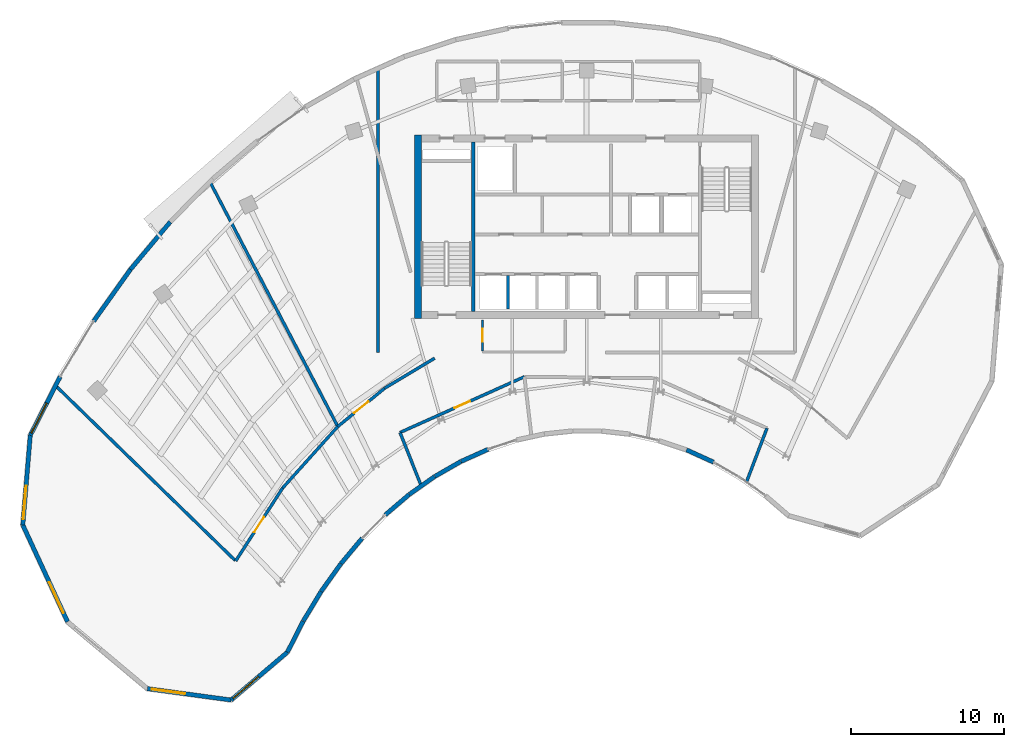
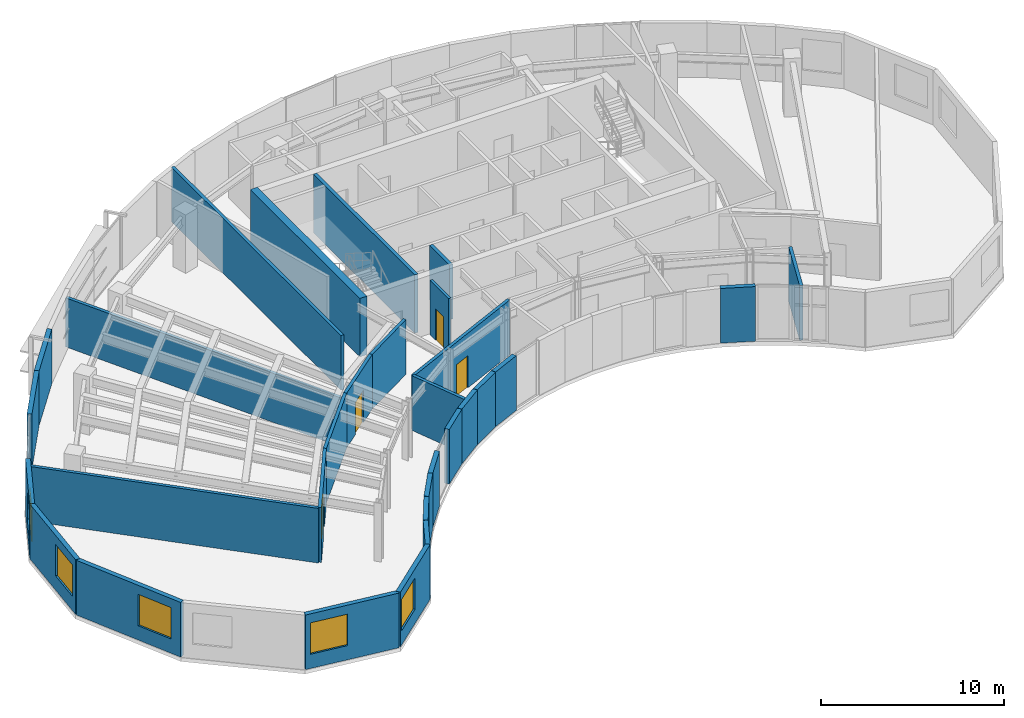
# One storey, part 7 of 12: 30 walls, 5 windows, 4 doors, 9 openings.
"""IFC4 building model written with IfcOpenShell, lengths in metres."""

from ifc_helpers import new_model, si_unit, direction, frame, frame_2d, origin, place, context, subcontext, project, spatial, rectangle, extrude, source, transform, mapped, material, layer, layer_set, type_object, type_shapes, element, fill, save


model = new_model("IFC4")

# Units and contexts
model_context = context("Model", 3, precision=1e-05, world=origin(), true_north=direction((0.0, 1.0)))
body_context = subcontext(model_context, "Body", "Model", "MODEL_VIEW")
ifc_project = project(units=[si_unit("LENGTHUNIT", "METRE"), si_unit("AREAUNIT", "SQUARE_METRE"), si_unit("VOLUMEUNIT", "CUBIC_METRE"), si_unit("PLANEANGLEUNIT", "RADIAN"), si_unit("MASSUNIT", "GRAM", prefix="KILO")], contexts=[model_context])

# Site, building, storey
site_placement = place(None, origin())
site = spatial("IfcSite", under=ifc_project, at=site_placement, CompositionType="ELEMENT")
building_placement = place(site_placement, origin())
building = spatial("IfcBuilding", under=site, at=building_placement, Name="Breltana Convention Tower", CompositionType="ELEMENT")
storey_placement = place(building_placement, frame((0.0, 0.0, 246.89990234375)))
storey = spatial("IfcBuildingStorey", under=building, at=storey_placement, Name="L60", CompositionType="ELEMENT", Elevation=246.89990234375)

# Walls
ifc_material_1 = material(Name="Concrete C60/75", Category="concrete")
ifc_layer_1 = layer(ifc_material_1, 0.449951171875, Name="Concrete C60/75")
ifc_layer_set_1 = layer_set([ifc_layer_1], Name="Concrete C60/75")
wall_type_1 = type_object("IfcWallType", Name="SW-CORE-450", PredefinedType="SHEAR", material=ifc_layer_set_1)
shared_shape_1 = source(origin(), body_context, "Body", "SweptSolid", [
    extrude(rectangle(XDim=12.0, YDim=0.449951171875, at=frame_2d((6.0, 0.0))), origin(), (0.0, 0.0, 1.0), 3.900146484375),
])
wall_1_placement = place(storey_placement, frame((36.97509765625, 60.199951171875, 0.0), z_axis=(0.0, 0.0, 1.0), x_axis=(0.0, 1.0, 0.0)))
element("IfcWall", 1, at=wall_1_placement, inside=storey, type_object=wall_type_1, Name="L60 West Core Shear Wall", PredefinedType="SHEAR", context=body_context, shape_type="MappedRepresentation", body=[
    mapped(shared_shape_1, transform((0.0, 0.0, 0.0), scale=1.0)),
])
ifc_material_2 = material(Name="Concrete C50/60", Category="concrete")
ifc_layer_2 = layer(ifc_material_2, 0.39990234375, Name="Concrete C50/60")
ifc_layer_set_2 = layer_set([ifc_layer_2], Name="Concrete C50/60")
wall_type_2 = type_object("IfcWallType", Name="SW-CORE-400", PredefinedType="SHEAR", material=ifc_layer_set_2)
shared_shape_2 = source(origin(), body_context, "Body", "SweptSolid", [
    extrude(rectangle(XDim=11.10009765625, YDim=0.219970703125, at=frame_2d((5.550048828125, 0.0))), origin(), (0.0, 0.0, 1.0), 3.900146484375),
])
wall_2_placement = place(storey_placement, frame((40.580078125, 60.64990234375, 0.0), z_axis=(0.0, 0.0, 1.0), x_axis=(0.0, 1.0, 0.0)))
element("IfcWall", 2, at=wall_2_placement, inside=storey, type_object=wall_type_2, Name="L60 Core West Stair Spine Wall", PredefinedType="SHEAR", context=body_context, shape_type="MappedRepresentation", body=[
    mapped(shared_shape_2, transform((0.0, 0.0, 0.0), scale=1.0)),
])
ifc_material_3 = material(Name="Limestone Buff Insulated Wall", Category="masonry")
ifc_layer_3 = layer(ifc_material_3, 0.280029296875, Name="Limestone Buff Insulated Wall")
ifc_layer_set_3 = layer_set([ifc_layer_3], Name="Limestone Buff Insulated Wall")
wall_type_3 = type_object("IfcWallType", Name="WL-EXT-NOSE-280", PredefinedType="SOLIDWALL", material=ifc_layer_set_3)
shared_shape_3 = source(origin(), body_context, "Body", "SweptSolid", [
    extrude(rectangle(XDim=1.932861328125, YDim=0.280029296875, at=frame_2d((0.96630859375, 0.0))), origin(), (0.0, 0.0, 1.0), 3.650146484375),
])
wall_3_placement = place(storey_placement, frame((56.2998046875, 50.802001953125, 0.0), z_axis=(0.0, 0.0, 1.0), x_axis=(-0.910478916145, 0.413555489936, 0.0)))
element("IfcWall", 3, at=wall_3_placement, inside=storey, type_object=wall_type_3, Name="L60 curved limestone nose wall E7", PredefinedType="SOLIDWALL", context=body_context, shape_type="MappedRepresentation", body=[
    mapped(shared_shape_3, transform((0.0, 0.0, 0.0), scale=1.0)),
])
shared_shape_4 = source(origin(), body_context, "Body", "SweptSolid", [
    extrude(rectangle(XDim=1.968994140625, YDim=0.280029296875, at=frame_2d((0.984375, 0.0))), origin(), (0.0, 0.0, 1.0), 3.650146484375),
])
wall_4_placement = place(storey_placement, frame((39.77880859375, 50.84228515625, 0.0), z_axis=(0.0, 0.0, 1.0), x_axis=(-0.86797594681, -0.496606238139, 0.0)))
element("IfcWall", 4, at=wall_4_placement, inside=storey, type_object=wall_type_3, Name="L60 curved limestone nose wall E14", PredefinedType="SOLIDWALL", context=body_context, shape_type="MappedRepresentation", body=[
    mapped(shared_shape_4, transform((0.0, 0.0, 0.0), scale=1.0)),
])
shared_shape_5 = source(origin(), body_context, "Body", "SweptSolid", [
    extrude(rectangle(XDim=2.011962890625, YDim=0.280029296875, at=frame_2d((1.005859375, 0.0))), origin(), (0.0, 0.0, 1.0), 3.650146484375),
])
wall_5_placement = place(storey_placement, frame((38.055419921875, 49.855224609375, 0.0), z_axis=(0.0, 0.0, 1.0), x_axis=(-0.817008215805, -0.576626027255, 0.0)))
element("IfcWall", 5, at=wall_5_placement, inside=storey, type_object=wall_type_3, Name="L60 curved limestone nose wall E15", PredefinedType="SOLIDWALL", context=body_context, shape_type="MappedRepresentation", body=[
    mapped(shared_shape_5, transform((0.0, 0.0, 0.0), scale=1.0)),
])
shared_shape_6 = source(origin(), body_context, "Body", "SweptSolid", [
    extrude(rectangle(XDim=2.0595703125, YDim=0.280029296875, at=frame_2d((1.02978515625, 0.0))), origin(), (0.0, 0.0, 1.0), 3.650146484375),
])
wall_6_placement = place(storey_placement, frame((36.398681640625, 48.68505859375, 0.0), z_axis=(0.0, 0.0, 1.0), x_axis=(-0.761494573969, -0.648171284319, 0.0)))
element("IfcWall", 6, at=wall_6_placement, inside=storey, type_object=wall_type_3, Name="L60 curved limestone nose wall E16", PredefinedType="SOLIDWALL", context=body_context, shape_type="MappedRepresentation", body=[
    mapped(shared_shape_6, transform((0.0, 0.0, 0.0), scale=1.0)),
])
shared_shape_7 = source(origin(), body_context, "Body", "SweptSolid", [
    extrude(rectangle(XDim=2.211669921875, YDim=0.280029296875, at=frame_2d((1.10595703125, 0.0))), origin(), (0.0, 0.0, 1.0), 3.650146484375),
])
wall_7_placement = place(storey_placement, frame((31.931396484375, 44.159423828125, 0.0), z_axis=(0.0, 0.0, 1.0), x_axis=(-0.579639452819, -0.814873060504, 0.0)))
element("IfcWall", 7, at=wall_7_placement, inside=storey, type_object=wall_type_3, Name="L60 curved limestone nose wall E18", PredefinedType="SOLIDWALL", context=body_context, shape_type="MappedRepresentation", body=[
    mapped(shared_shape_7, transform((0.0, 0.0, 0.0), scale=1.0)),
])
shared_shape_8 = source(origin(), body_context, "Body", "SweptSolid", [
    extrude(rectangle(XDim=2.260986328125, YDim=0.280029296875, at=frame_2d((1.13037109375, 0.0))), origin(), (0.0, 0.0, 1.0), 3.650146484375),
])
wall_8_placement = place(storey_placement, frame((30.64208984375, 42.345703125, 0.0), z_axis=(0.0, 0.0, 1.0), x_axis=(-0.516891494538, -0.856050923062, 0.0)))
element("IfcWall", 8, at=wall_8_placement, inside=storey, type_object=wall_type_3, Name="L60 curved limestone nose wall E19", PredefinedType="SOLIDWALL", context=body_context, shape_type="MappedRepresentation", body=[
    mapped(shared_shape_8, transform((0.0, 0.0, 0.0), scale=1.0)),
])
shared_shape_9 = source(origin(), body_context, "Body", "SweptSolid", [
    extrude(rectangle(XDim=2.271484375, YDim=0.280029296875, at=frame_2d((1.1357421875, 0.0))), origin(), (0.0, 0.0, 1.0), 3.650146484375),
])
wall_9_placement = place(storey_placement, frame((29.467041015625, 40.39892578125, 0.0), z_axis=(0.0, 0.0, 1.0), x_axis=(-0.453993402883, -0.891005044957, 0.0)))
element("IfcWall", 9, at=wall_9_placement, inside=storey, type_object=wall_type_3, Name="L60 curved limestone nose wall W1", PredefinedType="SOLIDWALL", context=body_context, shape_type="MappedRepresentation", body=[
    mapped(shared_shape_9, transform((0.0, 0.0, 0.0), scale=1.0)),
])

# Wall, opening, window
shared_shape_10 = source(origin(), body_context, "Body", "SweptSolid", [
    extrude(rectangle(XDim=4.830078125, YDim=0.280029296875, at=frame_2d((2.4150390625, 0.0))), origin(), (0.0, 0.0, 1.0), 3.650146484375),
])
wall_10_placement = place(storey_placement, frame((28.435791015625, 38.375, 0.0), z_axis=(0.0, 0.0, 1.0), x_axis=(-0.761890676316, -0.647705640968, 0.0)))
wall_10 = element("IfcWall", 10, at=wall_10_placement, inside=storey, type_object=wall_type_3, Name="L60 curved limestone nose wall W2", PredefinedType="SOLIDWALL", context=body_context, shape_type="MappedRepresentation", body=[
    mapped(shared_shape_10, transform((0.0, 0.0, 0.0), scale=1.0)),
])
opening_1_placement = place(wall_10_placement, frame((2.4697265625, 0.0, 0.949951171875)))
opening_1 = element("IfcOpeningElement", 11, at=opening_1_placement, cuts=wall_10, Name="Opening W-03", PredefinedType="OPENING", context=body_context, shape_type="SweptSolid", body=[
    extrude(rectangle(XDim=2.199951171875, YDim=2.10009765625, at=frame_2d((1.10009765625, 1.050048828125))), frame((0.0, 0.14990234375, 0.0), z_axis=(0.0, -1.0, 0.0), x_axis=(1.0, 0.0, 0.0)), (0.0, 0.0, 1.0), 0.300048828125),
])
ifc_material_4 = material(Name="Glass Low-E Insulated Window", Category="glass")
window_type = type_object("IfcWindowType", Name="WN-NOSE-2200X2100", PartitioningType="TRIPLE_PANEL_VERTICAL", PredefinedType="WINDOW", material=ifc_material_4)
shared_shape_11 = source(origin(), body_context, "Body", "SweptSolid", [
    extrude(rectangle(XDim=2.199951171875, YDim=2.10009765625, at=frame_2d((1.10009765625, 1.050048828125))), frame((0.0, 0.030029296875, 0.0), z_axis=(0.0, -1.0, 0.0), x_axis=(1.0, 0.0, 0.0)), (0.0, 0.0, 1.0), 0.06005859375),
])
type_shapes(window_type, [shared_shape_11])
window_1_placement = place(opening_1_placement, origin())
window_1 = element("IfcWindow", 12, at=window_1_placement, inside=storey, type_object=window_type, Name="L60 nose window W2", OverallHeight=2.10009765625, OverallWidth=2.199951171875, PartitioningType="TRIPLE_PANEL_VERTICAL", PredefinedType="WINDOW", context=body_context, shape_type="MappedRepresentation", body=[
    mapped(shared_shape_11, transform((0.0, 0.0, 0.0), scale=1.0)),
])
fill(opening_1, window_1)

shared_shape_12 = source(origin(), body_context, "Body", "SweptSolid", [
    extrude(rectangle(XDim=5.51953125, YDim=0.280029296875, at=frame_2d((2.759765625, 0.0))), origin(), (0.0, 0.0, 1.0), 3.650146484375),
])
wall_11_placement = place(storey_placement, frame((24.755859375, 35.24658203125, 0.0), z_axis=(0.0, 0.0, 1.0), x_axis=(-0.99093029136, 0.134376923856, 0.0)))
wall_11 = element("IfcWall", 13, at=wall_11_placement, inside=storey, type_object=wall_type_3, Name="L60 curved limestone nose wall W3", PredefinedType="SOLIDWALL", context=body_context, shape_type="MappedRepresentation", body=[
    mapped(shared_shape_12, transform((0.0, 0.0, 0.0), scale=1.0)),
])
opening_2_placement = place(wall_11_placement, frame((3.039794921875, 0.0, 0.949951171875)))
opening_2 = element("IfcOpeningElement", 14, at=opening_2_placement, cuts=wall_11, Name="Opening W-03", PredefinedType="OPENING", context=body_context, shape_type="SweptSolid", body=[
    extrude(rectangle(XDim=2.199951171875, YDim=2.10009765625, at=frame_2d((1.10009765625, 1.050048828125))), frame((0.0, 0.14990234375, 0.0), z_axis=(0.0, -1.0, 0.0), x_axis=(1.0, 0.0, 0.0)), (0.0, 0.0, 1.0), 0.300048828125),
])
window_2_placement = place(opening_2_placement, origin())
window_2 = element("IfcWindow", 15, at=window_2_placement, inside=storey, type_object=window_type, Name="L60 nose window W3", OverallHeight=2.10009765625, OverallWidth=2.199951171875, PartitioningType="TRIPLE_PANEL_VERTICAL", PredefinedType="WINDOW", context=body_context, shape_type="MappedRepresentation", body=[
    mapped(shared_shape_11, transform((0.0, 0.0, 0.0), scale=1.0)),
])
fill(opening_2, window_2)

shared_shape_13 = source(origin(), body_context, "Body", "SweptSolid", [
    extrude(rectangle(XDim=6.976806640625, YDim=0.280029296875, at=frame_2d((3.48828125, 0.0))), origin(), (0.0, 0.0, 1.0), 3.650146484375),
])
wall_12_placement = place(storey_placement, frame((14.0634765625, 40.361572265625, 0.0), z_axis=(0.0, 0.0, 1.0), x_axis=(-0.41966832263, 0.907677530283, 0.0)))
wall_12 = element("IfcWall", 16, at=wall_12_placement, inside=storey, type_object=wall_type_3, Name="L60 curved limestone nose wall W5", PredefinedType="SOLIDWALL", context=body_context, shape_type="MappedRepresentation", body=[
    mapped(shared_shape_13, transform((0.0, 0.0, 0.0), scale=1.0)),
])
opening_3_placement = place(wall_12_placement, frame((0.644287109375, 0.0, 0.949951171875)))
opening_3 = element("IfcOpeningElement", 17, at=opening_3_placement, cuts=wall_12, Name="Opening W-03", PredefinedType="OPENING", context=body_context, shape_type="SweptSolid", body=[
    extrude(rectangle(XDim=2.199951171875, YDim=2.10009765625, at=frame_2d((1.10009765625, 1.050048828125))), frame((0.0, 0.14990234375, 0.0), z_axis=(0.0, -1.0, 0.0), x_axis=(1.0, 0.0, 0.0)), (0.0, 0.0, 1.0), 0.300048828125),
])
window_3_placement = place(opening_3_placement, origin())
window_3 = element("IfcWindow", 18, at=window_3_placement, inside=storey, type_object=window_type, Name="L60 nose window W5", OverallHeight=2.10009765625, OverallWidth=2.199951171875, PartitioningType="TRIPLE_PANEL_VERTICAL", PredefinedType="WINDOW", context=body_context, shape_type="MappedRepresentation", body=[
    mapped(shared_shape_11, transform((0.0, 0.0, 0.0), scale=1.0)),
])
fill(opening_3, window_3)

shared_shape_14 = source(origin(), body_context, "Body", "SweptSolid", [
    extrude(rectangle(XDim=5.880859375, YDim=0.280029296875, at=frame_2d((2.9404296875, 0.0))), origin(), (0.0, 0.0, 1.0), 3.650146484375),
])
wall_13_placement = place(storey_placement, frame((11.135498046875, 46.6943359375, 0.0), z_axis=(0.0, 0.0, 1.0), x_axis=(0.083320333731, 0.996522815588, 0.0)))
wall_13 = element("IfcWall", 19, at=wall_13_placement, inside=storey, type_object=wall_type_3, Name="L60 curved limestone nose wall W6", PredefinedType="SOLIDWALL", context=body_context, shape_type="MappedRepresentation", body=[
    mapped(shared_shape_14, transform((0.0, 0.0, 0.0), scale=1.0)),
])
opening_4_placement = place(wall_13_placement, frame((0.3701171875, 0.0, 0.949951171875)))
opening_4 = element("IfcOpeningElement", 20, at=opening_4_placement, cuts=wall_13, Name="Opening W-03", PredefinedType="OPENING", context=body_context, shape_type="SweptSolid", body=[
    extrude(rectangle(XDim=2.199951171875, YDim=2.10009765625, at=frame_2d((1.10009765625, 1.050048828125))), frame((0.0, 0.14990234375, 0.0), z_axis=(0.0, -1.0, 0.0), x_axis=(1.0, 0.0, 0.0)), (0.0, 0.0, 1.0), 0.300048828125),
])
window_4_placement = place(opening_4_placement, origin())
window_4 = element("IfcWindow", 21, at=window_4_placement, inside=storey, type_object=window_type, Name="L60 nose window W6", OverallHeight=2.10009765625, OverallWidth=2.199951171875, PartitioningType="TRIPLE_PANEL_VERTICAL", PredefinedType="WINDOW", context=body_context, shape_type="MappedRepresentation", body=[
    mapped(shared_shape_11, transform((0.0, 0.0, 0.0), scale=1.0)),
])
fill(opening_4, window_4)

shared_shape_15 = source(origin(), body_context, "Body", "SweptSolid", [
    extrude(rectangle(XDim=4.30126953125, YDim=0.280029296875, at=frame_2d((2.150634765625, 0.0))), origin(), (0.0, 0.0, 1.0), 3.650146484375),
])
wall_14_placement = place(storey_placement, frame((11.62548828125, 52.5546875, 0.0), z_axis=(0.0, 0.0, 1.0), x_axis=(0.454011655096, 0.89099574468, 0.0)))
wall_14 = element("IfcWall", 22, at=wall_14_placement, inside=storey, type_object=wall_type_3, Name="L60 curved limestone nose wall W7", PredefinedType="SOLIDWALL", context=body_context, shape_type="MappedRepresentation", body=[
    mapped(shared_shape_15, transform((0.0, 0.0, 0.0), scale=1.0)),
])
opening_5_placement = place(wall_14_placement, frame((0.159912109375, 0.0, 0.949951171875)))
opening_5 = element("IfcOpeningElement", 23, at=opening_5_placement, cuts=wall_14, Name="Opening W-03", PredefinedType="OPENING", context=body_context, shape_type="SweptSolid", body=[
    extrude(rectangle(XDim=2.199951171875, YDim=2.10009765625, at=frame_2d((1.10009765625, 1.050048828125))), frame((0.0, 0.14990234375, 0.0), z_axis=(0.0, -1.0, 0.0), x_axis=(1.0, 0.0, 0.0)), (0.0, 0.0, 1.0), 0.300048828125),
])
window_5_placement = place(opening_5_placement, origin())
window_5 = element("IfcWindow", 24, at=window_5_placement, inside=storey, type_object=window_type, Name="L60 nose window W7", OverallHeight=2.10009765625, OverallWidth=2.199951171875, PartitioningType="TRIPLE_PANEL_VERTICAL", PredefinedType="WINDOW", context=body_context, shape_type="MappedRepresentation", body=[
    mapped(shared_shape_11, transform((0.0, 0.0, 0.0), scale=1.0)),
])
fill(opening_5, window_5)

# Walls
shared_shape_16 = source(origin(), body_context, "Body", "SweptSolid", [
    extrude(rectangle(XDim=4.14892578125, YDim=0.280029296875, at=frame_2d((2.074462890625, 0.0))), origin(), (0.0, 0.0, 1.0), 3.650146484375),
])
wall_15_placement = place(storey_placement, frame((15.77099609375, 60.018798828125, 0.0), z_axis=(0.0, 0.0, 1.0), x_axis=(0.579622789827, 0.814884913048, 0.0)))
element("IfcWall", 25, at=wall_15_placement, inside=storey, type_object=wall_type_3, Name="L60 curved limestone nose wall E20", PredefinedType="SOLIDWALL", context=body_context, shape_type="MappedRepresentation", body=[
    mapped(shared_shape_16, transform((0.0, 0.0, 0.0), scale=1.0)),
])
shared_shape_17 = source(origin(), body_context, "Body", "SweptSolid", [
    extrude(rectangle(XDim=1.930908203125, YDim=0.280029296875, at=frame_2d((0.96533203125, 0.0))), origin(), (0.0, 0.0, 1.0), 3.650146484375),
])
wall_16_placement = place(storey_placement, frame((41.556884765625, 51.639404296875, 0.0), z_axis=(0.0, 0.0, 1.0), x_axis=(-0.912681759743, -0.408671023481, 0.0)))
element("IfcWall", 26, at=wall_16_placement, inside=storey, type_object=wall_type_3, Name="L60 curved limestone nose wall E13", PredefinedType="SOLIDWALL", context=body_context, shape_type="MappedRepresentation", body=[
    mapped(shared_shape_17, transform((0.0, 0.0, 0.0), scale=1.0)),
])
shared_shape_18 = source(origin(), body_context, "Body", "SweptSolid", [
    extrude(rectangle(XDim=2.16064453125, YDim=0.280029296875, at=frame_2d((1.080322265625, 0.0))), origin(), (0.0, 0.0, 1.0), 3.650146484375),
])
wall_17_placement = place(storey_placement, frame((33.32666015625, 45.82763671875, 0.0), z_axis=(0.0, 0.0, 1.0), x_axis=(-0.641794516235, -0.766876651705, 0.0)))
element("IfcWall", 27, at=wall_17_placement, inside=storey, type_object=wall_type_3, Name="L60 curved limestone nose wall E17", PredefinedType="SOLIDWALL", context=body_context, shape_type="MappedRepresentation", body=[
    mapped(shared_shape_18, transform((0.0, 0.0, 0.0), scale=1.0)),
])
shared_shape_19 = source(origin(), body_context, "Body", "SweptSolid", [
    extrude(rectangle(XDim=4.05224609375, YDim=0.280029296875, at=frame_2d((2.026123046875, 0.0))), origin(), (0.0, 0.0, 1.0), 3.650146484375),
])
wall_18_placement = place(storey_placement, frame((18.17578125, 63.399658203125, 0.0), z_axis=(0.0, 0.0, 1.0), x_axis=(0.641765301437, 0.76690110045, 0.0)))
element("IfcWall", 28, at=wall_18_placement, inside=storey, type_object=wall_type_3, Name="L60 curved limestone nose wall E21", PredefinedType="SOLIDWALL", context=body_context, shape_type="MappedRepresentation", body=[
    mapped(shared_shape_19, transform((0.0, 0.0, 0.0), scale=1.0)),
])
ifc_material_5 = material(Name="Autoclaved Aerated Concrete Block", Category="concrete")
ifc_layer_4 = layer(ifc_material_5, 0.199951171875, Name="Autoclaved Aerated Concrete Block")
ifc_layer_set_4 = layer_set([ifc_layer_4], Name="Autoclaved Aerated Concrete Block")
wall_type_4 = type_object("IfcWallType", Name="WL-SHAFT-200", PredefinedType="SOLIDWALL", material=ifc_layer_set_4)
shared_shape_20 = source(origin(), body_context, "Body", "SweptSolid", [
    extrude(rectangle(XDim=2.199951171875, YDim=0.199951171875, at=frame_2d((1.10009765625, 0.0))), origin(), (0.0, 0.0, 1.0), 3.650146484375),
])
wall_19_placement = place(storey_placement, frame((42.8701171875, 60.800048828125, 0.0), z_axis=(0.0, 0.0, 1.0), x_axis=(0.0, 1.0, 0.0)))
element("IfcWall", 29, at=wall_19_placement, inside=storey, type_object=wall_type_4, Name="L60 interior partition W-L60-SH-S-DIV1", PredefinedType="SOLIDWALL", context=body_context, shape_type="MappedRepresentation", body=[
    mapped(shared_shape_20, transform((0.0, 0.0, 0.0), scale=1.0)),
])

# Wall, opening, door
ifc_material_6 = material(Name="Gypsum Acoustic Drywall Partition")
ifc_layer_5 = layer(ifc_material_6, 0.14990234375, Name="Gypsum Acoustic Drywall Partition")
ifc_layer_set_5 = layer_set([ifc_layer_5], Name="Gypsum Acoustic Drywall Partition")
wall_type_5 = type_object("IfcWallType", Name="WL-PART-150", PredefinedType="PARTITIONING", material=ifc_layer_set_5)
shared_shape_21 = source(origin(), body_context, "Body", "SweptSolid", [
    extrude(rectangle(XDim=2.03271484375, YDim=0.14990234375, at=frame_2d((1.016357421875, 0.0))), origin(), (0.0, 0.0, 1.0), 3.650146484375),
])
wall_20_placement = place(storey_placement, frame((41.199951171875, 58.0673828125, 0.0), z_axis=(0.0, 0.0, 1.0), x_axis=(0.0, 1.0, 0.0)))
wall_20 = element("IfcWall", 30, at=wall_20_placement, inside=storey, type_object=wall_type_5, Name="L60 interior partition W-L60-CRSC-W", PredefinedType="PARTITIONING", context=body_context, shape_type="MappedRepresentation", body=[
    mapped(shared_shape_21, transform((0.0, 0.0, 0.0), scale=1.0)),
])
opening_6_placement = place(wall_20_placement, frame((0.59130859375, 0.0, 0.0)))
opening_6 = element("IfcOpeningElement", 31, at=opening_6_placement, cuts=wall_20, Name="Opening D-20", PredefinedType="OPENING", context=body_context, shape_type="SweptSolid", body=[
    extrude(rectangle(XDim=0.85009765625, YDim=2.10009765625, at=frame_2d((0.425048828125, 1.050048828125))), frame((0.0, 0.0849609375, 0.0), z_axis=(0.0, -1.0, 0.0), x_axis=(1.0, 0.0, 0.0)), (0.0, 0.0, 1.0), 0.169921875),
])
ifc_material_7 = material(Name="Steel Closet Fire Door", Category="steel")
door_type_1 = type_object("IfcDoorType", Name="DR-FD60-850", OperationType="NOTDEFINED", PredefinedType="DOOR", material=ifc_material_7)
shared_shape_22 = source(origin(), body_context, "Body", "SweptSolid", [
    extrude(rectangle(XDim=0.85009765625, YDim=2.10009765625, at=frame_2d((0.425048828125, 1.050048828125))), frame((0.0, 0.02490234375, 0.0), z_axis=(0.0, -1.0, 0.0), x_axis=(1.0, 0.0, 0.0)), (0.0, 0.0, 1.0), 0.050048828125),
])
type_shapes(door_type_1, [shared_shape_22])
door_1_placement = place(opening_6_placement, origin())
door_1 = element("IfcDoor", 32, at=door_1_placement, inside=storey, type_object=door_type_1, Name="L60 interior door D-L60-CRSC", OperationType="SINGLE_SWING_LEFT", OverallHeight=2.10009765625, OverallWidth=0.85009765625, PredefinedType="DOOR", context=body_context, shape_type="MappedRepresentation", body=[
    mapped(shared_shape_22, transform((0.0, 0.0, 0.0), scale=1.0)),
])
fill(opening_6, door_1)

ifc_material_8 = material(Name="Gypsum Acoustic Hotel Wall")
ifc_layer_6 = layer(ifc_material_8, 0.195068359375, Name="Gypsum Acoustic Hotel Wall")
ifc_layer_set_6 = layer_set([ifc_layer_6], Name="Gypsum Acoustic Hotel Wall")
wall_type_6 = type_object("IfcWallType", Name="WL-HOTEL-200", PredefinedType="PARTITIONING", material=ifc_layer_set_6)
shared_shape_23 = source(origin(), body_context, "Body", "SweptSolid", [
    extrude(rectangle(XDim=8.912841796875, YDim=0.195068359375, at=frame_2d((4.45654296875, 0.0))), origin(), (0.0, 0.0, 1.0), 3.650146484375),
])
wall_21_placement = place(storey_placement, frame((35.802978515625, 52.73828125, 0.0), z_axis=(0.0, 0.0, 1.0), x_axis=(0.912488521546, 0.409102307555, 0.0)))
wall_21 = element("IfcWall", 33, at=wall_21_placement, inside=storey, type_object=wall_type_6, Name="L60 interior partition W-L60-ES1-COR", PredefinedType="PARTITIONING", context=body_context, shape_type="MappedRepresentation", body=[
    mapped(shared_shape_23, transform((0.0, 0.0, 0.0), scale=1.0)),
])
opening_7_placement = place(wall_21_placement, frame((3.906494140625, 0.0, 0.0)))
opening_7 = element("IfcOpeningElement", 34, at=opening_7_placement, cuts=wall_21, Name="Opening D-12", PredefinedType="OPENING", context=body_context, shape_type="SweptSolid", body=[
    extrude(rectangle(XDim=1.10009765625, YDim=2.14990234375, at=frame_2d((0.550048828125, 1.074951171875))), frame((0.0, 0.107421875, 0.0), z_axis=(0.0, -1.0, 0.0), x_axis=(1.0, 0.0, 0.0)), (0.0, 0.0, 1.0), 0.215087890625),
])
ifc_material_9 = material(Name="Timber Oak Acoustic Door", Category="wood")
door_type_2 = type_object("IfcDoorType", Name="DR-INT-1100", OperationType="NOTDEFINED", PredefinedType="DOOR", material=ifc_material_9)
shared_shape_24 = source(origin(), body_context, "Body", "SweptSolid", [
    extrude(rectangle(XDim=1.10009765625, YDim=2.14990234375, at=frame_2d((0.550048828125, 1.074951171875))), frame((0.0, 0.02490234375, 0.0), z_axis=(0.0, -1.0, 0.0), x_axis=(1.0, 0.0, 0.0)), (0.0, 0.0, 1.0), 0.050048828125),
])
type_shapes(door_type_2, [shared_shape_24])
door_2_placement = place(opening_7_placement, origin())
door_2 = element("IfcDoor", 35, at=door_2_placement, inside=storey, type_object=door_type_2, Name="L60 interior door D-L60-ES1", OperationType="SINGLE_SWING_RIGHT", OverallHeight=2.14990234375, OverallWidth=1.10009765625, PredefinedType="DOOR", context=body_context, shape_type="MappedRepresentation", body=[
    mapped(shared_shape_24, transform((0.0, 0.0, 0.0), scale=1.0)),
])
fill(opening_7, door_2)

# Walls
shared_shape_25 = source(origin(), body_context, "Body", "SweptSolid", [
    extrude(rectangle(XDim=3.7490234375, YDim=0.195068359375, at=frame_2d((1.87451171875, 0.0))), origin(), (0.0, 0.0, 1.0), 3.650146484375),
])
wall_22_placement = place(storey_placement, frame((37.185791015625, 49.253662109375, 0.0), z_axis=(0.0, 0.0, 1.0), x_axis=(-0.368851771682, 0.92948823044, 0.0)))
element("IfcWall", 36, at=wall_22_placement, inside=storey, type_object=wall_type_6, Name="L60 interior partition W-L60-ES1-RA", PredefinedType="PARTITIONING", context=body_context, shape_type="MappedRepresentation", body=[
    mapped(shared_shape_25, transform((0.0, 0.0, 0.0), scale=1.0)),
])
shared_shape_26 = source(origin(), body_context, "Body", "SweptSolid", [
    extrude(rectangle(XDim=3.75732421875, YDim=0.195068359375, at=frame_2d((1.878662109375, 0.0))), origin(), (0.0, 0.0, 1.0), 3.650146484375),
])
wall_23_placement = place(storey_placement, frame((58.459228515625, 49.5068359375, 0.0), z_axis=(0.0, 0.0, 1.0), x_axis=(0.355427833237, 0.93470372598, 0.0)))
element("IfcWall", 37, at=wall_23_placement, inside=storey, type_object=wall_type_6, Name="L60 interior partition W-L60-ES3-RB", PredefinedType="PARTITIONING", context=body_context, shape_type="MappedRepresentation", body=[
    mapped(shared_shape_26, transform((0.0, 0.0, 0.0), scale=1.0)),
])

# Wall, opening, door
shared_shape_27 = source(origin(), body_context, "Body", "SweptSolid", [
    extrude(rectangle(XDim=5.66845703125, YDim=0.195068359375, at=frame_2d((2.834228515625, 0.0))), origin(), (0.0, 0.0, 1.0), 3.650146484375),
])
wall_24_placement = place(storey_placement, frame((25.056396484375, 44.33740234375, 0.0), z_axis=(0.0, 0.0, 1.0), x_axis=(0.540868603668, 0.841107099938, 0.0)))
wall_24 = element("IfcWall", 38, at=wall_24_placement, inside=storey, type_object=wall_type_6, Name="L60 interior partition W-L60-EXWR1-COR1", PredefinedType="PARTITIONING", context=body_context, shape_type="MappedRepresentation", body=[
    mapped(shared_shape_27, transform((0.0, 0.0, 0.0), scale=1.0)),
])
opening_8_placement = place(wall_24_placement, frame((2.234375, 0.0, 0.0)))
opening_8 = element("IfcOpeningElement", 39, at=opening_8_placement, cuts=wall_24, Name="Opening D-10", PredefinedType="OPENING", context=body_context, shape_type="SweptSolid", body=[
    extrude(rectangle(XDim=1.199951171875, YDim=2.14990234375, at=frame_2d((0.60009765625, 1.074951171875))), frame((0.0, 0.107421875, 0.0), z_axis=(0.0, -1.0, 0.0), x_axis=(1.0, 0.0, 0.0)), (0.0, 0.0, 1.0), 0.215087890625),
])
ifc_material_10 = material(Name="Timber Oak Veneer Fire Door", Category="wood")
door_type_3 = type_object("IfcDoorType", Name="DR-INT-1200", OperationType="NOTDEFINED", PredefinedType="DOOR", material=ifc_material_10)
shared_shape_28 = source(origin(), body_context, "Body", "SweptSolid", [
    extrude(rectangle(XDim=1.199951171875, YDim=2.14990234375, at=frame_2d((0.60009765625, 1.074951171875))), frame((0.0, 0.02490234375, 0.0), z_axis=(0.0, -1.0, 0.0), x_axis=(1.0, 0.0, 0.0)), (0.0, 0.0, 1.0), 0.050048828125),
])
type_shapes(door_type_3, [shared_shape_28])
door_3_placement = place(opening_8_placement, origin())
door_3 = element("IfcDoor", 40, at=door_3_placement, inside=storey, type_object=door_type_3, Name="L60 interior door D-L60-EXWR1", OperationType="SINGLE_SWING_LEFT", OverallHeight=2.14990234375, OverallWidth=1.199951171875, PredefinedType="DOOR", context=body_context, shape_type="MappedRepresentation", body=[
    mapped(shared_shape_28, transform((0.0, 0.0, 0.0), scale=1.0)),
])
fill(opening_8, door_3)

# Walls
shared_shape_29 = source(origin(), body_context, "Body", "SweptSolid", [
    extrude(rectangle(XDim=5.406982421875, YDim=0.195068359375, at=frame_2d((2.70361328125, 0.0))), origin(), (0.0, 0.0, 1.0), 3.650146484375),
])
wall_25_placement = place(storey_placement, frame((28.122314453125, 49.105224609375, 0.0), z_axis=(0.0, 0.0, 1.0), x_axis=(0.667851383423, 0.744294652447, 0.0)))
element("IfcWall", 41, at=wall_25_placement, inside=storey, type_object=wall_type_6, Name="L60 interior partition W-L60-EXWR1-COR2", PredefinedType="PARTITIONING", context=body_context, shape_type="MappedRepresentation", body=[
    mapped(shared_shape_29, transform((0.0, 0.0, 0.0), scale=1.0)),
])
shared_shape_30 = source(origin(), body_context, "Body", "SweptSolid", [
    extrude(rectangle(XDim=16.379638671875, YDim=0.195068359375, at=frame_2d((8.18994140625, 0.0))), origin(), (0.0, 0.0, 1.0), 3.650146484375),
])
wall_26_placement = place(storey_placement, frame((25.02392578125, 44.368896484375, 0.0), z_axis=(0.0, 0.0, 1.0), x_axis=(-0.716522943697, 0.697563524817, 0.0)))
element("IfcWall", 42, at=wall_26_placement, inside=storey, type_object=wall_type_6, Name="L60 interior partition W-L60-EXWR1-RA", PredefinedType="PARTITIONING", context=body_context, shape_type="MappedRepresentation", body=[
    mapped(shared_shape_30, transform((0.0, 0.0, 0.0), scale=1.0)),
])
shared_shape_31 = source(origin(), body_context, "Body", "SweptSolid", [
    extrude(rectangle(XDim=17.997314453125, YDim=0.195068359375, at=frame_2d((8.99853515625, 0.0))), origin(), (0.0, 0.0, 1.0), 3.274169921875),
])
wall_27_placement = place(storey_placement, frame((31.71044921875, 53.173583984375, 0.0), z_axis=(0.0, 0.0, 1.0), x_axis=(-0.463122237503, 0.886294416732, 0.0)))
element("IfcWall", 43, at=wall_27_placement, inside=storey, type_object=wall_type_6, Name="L60 interior partition W-L60-EXWR1-RB", PredefinedType="PARTITIONING", context=body_context, shape_type="MappedRepresentation", body=[
    mapped(shared_shape_31, transform((0.0, 0.0, 0.0), scale=1.0)),
])

# Wall, opening, door
shared_shape_32 = source(origin(), body_context, "Body", "SweptSolid", [
    extrude(rectangle(XDim=3.9541015625, YDim=0.195068359375, at=frame_2d((1.97705078125, 0.0))), origin(), (0.0, 0.0, 1.0), 3.650146484375),
])
wall_28_placement = place(storey_placement, frame((31.7333984375, 53.129638671875, 0.0), z_axis=(0.0, 0.0, 1.0), x_axis=(0.774345047596, 0.632763579281, 0.0)))
wall_28 = element("IfcWall", 44, at=wall_28_placement, inside=storey, type_object=wall_type_6, Name="L60 interior partition W-L60-EXWR2-COR1", PredefinedType="PARTITIONING", context=body_context, shape_type="MappedRepresentation", body=[
    mapped(shared_shape_32, transform((0.0, 0.0, 0.0), scale=1.0)),
])
opening_9_placement = place(wall_28_placement, frame((1.376953125, 0.0, 0.0)))
opening_9 = element("IfcOpeningElement", 45, at=opening_9_placement, cuts=wall_28, Name="Opening D-10", PredefinedType="OPENING", context=body_context, shape_type="SweptSolid", body=[
    extrude(rectangle(XDim=1.199951171875, YDim=2.14990234375, at=frame_2d((0.60009765625, 1.074951171875))), frame((0.0, 0.107421875, 0.0), z_axis=(0.0, -1.0, 0.0), x_axis=(1.0, 0.0, 0.0)), (0.0, 0.0, 1.0), 0.215087890625),
])
door_4_placement = place(opening_9_placement, origin())
door_4 = element("IfcDoor", 46, at=door_4_placement, inside=storey, type_object=door_type_3, Name="L60 interior door D-L60-EXWR2", OperationType="SINGLE_SWING_RIGHT", OverallHeight=2.14990234375, OverallWidth=1.199951171875, PredefinedType="DOOR", context=body_context, shape_type="MappedRepresentation", body=[
    mapped(shared_shape_28, transform((0.0, 0.0, 0.0), scale=1.0)),
])
fill(opening_9, door_4)

# Walls
shared_shape_33 = source(origin(), body_context, "Body", "SweptSolid", [
    extrude(rectangle(XDim=3.817138671875, YDim=0.195068359375, at=frame_2d((1.90869140625, 0.0))), origin(), (0.0, 0.0, 1.0), 3.650146484375),
])
wall_29_placement = place(storey_placement, frame((34.795166015625, 55.631591796875, 0.0), z_axis=(0.0, 0.0, 1.0), x_axis=(0.857453418218, 0.514561595522, 0.0)))
element("IfcWall", 47, at=wall_29_placement, inside=storey, type_object=wall_type_6, Name="L60 interior partition W-L60-EXWR2-COR2", PredefinedType="PARTITIONING", context=body_context, shape_type="MappedRepresentation", body=[
    mapped(shared_shape_33, transform((0.0, 0.0, 0.0), scale=1.0)),
])
shared_shape_34 = source(origin(), body_context, "Body", "SweptSolid", [
    extrude(rectangle(XDim=18.567138671875, YDim=0.195068359375, at=frame_2d((9.28369140625, 0.0))), origin(), (0.0, 0.0, 1.0), 3.650146484375),
])
wall_30_placement = place(storey_placement, frame((34.360107421875, 57.9599609375, 0.0), z_axis=(0.0, 0.0, 1.0), x_axis=(0.0, 1.0, 0.0)))
element("IfcWall", 48, at=wall_30_placement, inside=storey, type_object=wall_type_6, Name="L60 interior partition W-L60-EXWR-CL", PredefinedType="PARTITIONING", context=body_context, shape_type="MappedRepresentation", body=[
    mapped(shared_shape_34, transform((0.0, 0.0, 0.0), scale=1.0)),
])

save(model, "model.ifc")
